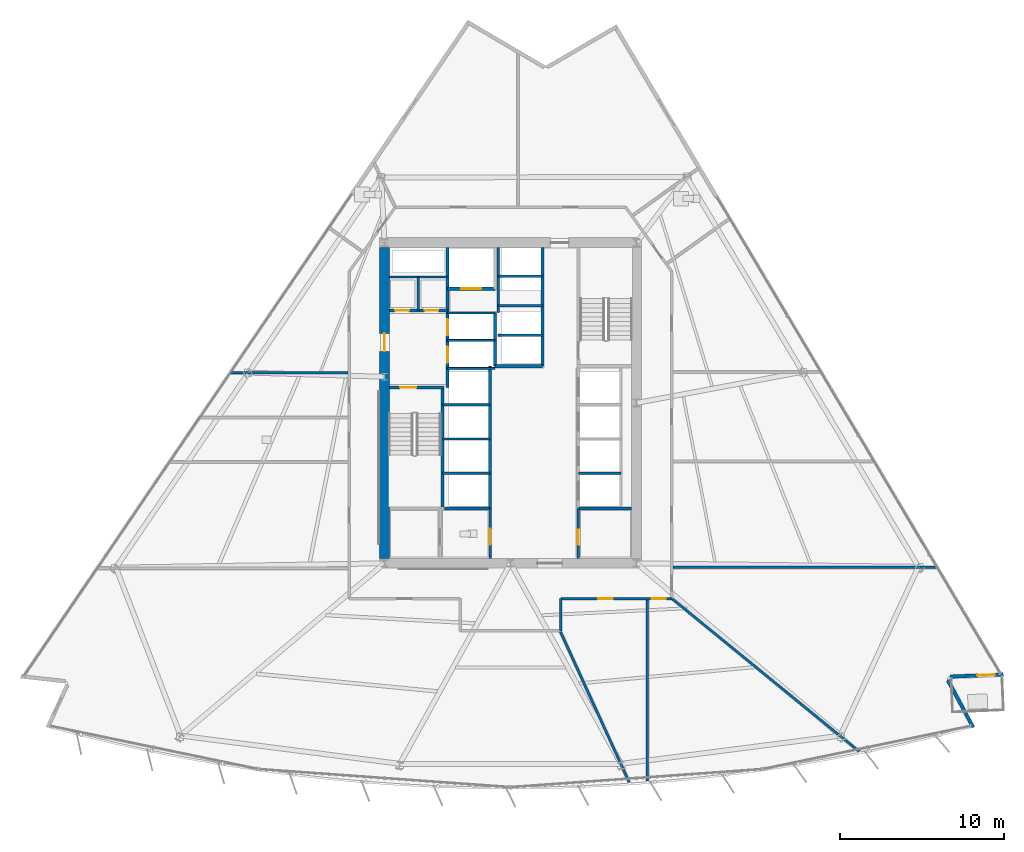
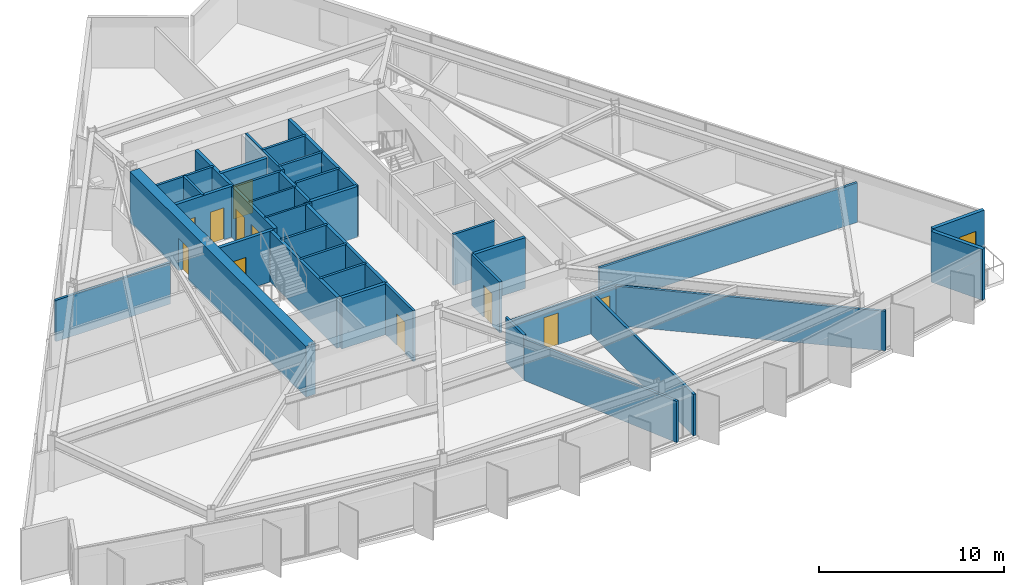
# One storey, part 9 of 16: 36 walls, 12 doors, 12 openings.
"""IFC4 building model written with IfcOpenShell, lengths in metres."""

from ifc_helpers import new_model, si_unit, direction, frame, frame_2d, origin, place, context, subcontext, project, spatial, rectangle, extrude, material, layer, layer_set, type_object, element, fill, save


model = new_model("IFC4")

# Units and contexts
model_context = context("Model", 3, precision=1e-05, world=origin(), true_north=direction((0.0, 1.0)))
body_context = subcontext(model_context, "Body", "Model", "MODEL_VIEW")
ifc_project = project(units=[si_unit("LENGTHUNIT", "METRE"), si_unit("AREAUNIT", "SQUARE_METRE"), si_unit("VOLUMEUNIT", "CUBIC_METRE"), si_unit("PLANEANGLEUNIT", "RADIAN"), si_unit("MASSUNIT", "GRAM", prefix="KILO")], contexts=[model_context])

# Site, building, storey
site_placement = place(None, origin())
site = spatial("IfcSite", under=ifc_project, at=site_placement, CompositionType="ELEMENT")
building_placement = place(site_placement, origin())
building = spatial("IfcBuilding", under=site, at=building_placement, Name="Savorim Split Tower", CompositionType="ELEMENT")
storey_placement = place(building_placement, frame((0.0, 0.0, 33.60009765625)))
storey = spatial("IfcBuildingStorey", under=building, at=storey_placement, Name="L08", CompositionType="ELEMENT", Elevation=33.60009765625)

# Wall, opening, door
ifc_material_1 = material(Name="Concrete C60/75", Category="concrete")
ifc_layer_1 = layer(ifc_material_1, 0.60009765625)
ifc_layer_set_1 = layer_set([ifc_layer_1], Name="WAL-COR-SH600")
wall_type_1 = type_object("IfcWallType", Name="WAL-COR-SH600", PredefinedType="SHEAR", material=ifc_layer_set_1)
wall_1_placement = place(storey_placement, frame((-7.699951171875, -9.10009765625, 0.0), z_axis=(0.0, 0.0, 1.0), x_axis=(0.0, 1.0, 0.0)))
wall_1 = element("IfcWall", 1, at=wall_1_placement, inside=storey, type_object=wall_type_1, Name="L08 Offset Core West Shear Wall", PredefinedType="SHEAR", context=body_context, shape_type="SweptSolid", body=[
    extrude(rectangle(XDim=19.0, YDim=0.60009765625, at=frame_2d((9.5, 0.0))), origin(), (0.0, 0.0, 1.0), 3.349853515625),
])
opening_1_placement = place(wall_1_placement, frame((12.64990234375, 0.0, 0.0)))
opening_1 = element("IfcOpeningElement", 2, at=opening_1_placement, cuts=wall_1, Name="Opening DI-03", PredefinedType="OPENING", context=body_context, shape_type="SweptSolid", body=[
    extrude(rectangle(XDim=1.10009765625, YDim=2.14990234375, at=frame_2d((0.550048828125, 1.074951171875))), frame((0.0, 0.31005859375, 0.0), z_axis=(0.0, -1.0, 0.0), x_axis=(1.0, 0.0, 0.0)), (0.0, 0.0, 1.0), 0.6201171875),
])
ifc_material_2 = material(Name="Timber Fire Door Leaf", Category="wood")
door_type_1 = type_object("IfcDoorType", Name="DOR-FIR-1100", OperationType="NOTDEFINED", PredefinedType="DOOR", material=ifc_material_2)
door_1_placement = place(opening_1_placement, origin())
door_1 = element("IfcDoor", 3, at=door_1_placement, inside=storey, type_object=door_type_1, Name="DOR-L08-COR-FFLOB - L08 Firefighting Lobby Corridor Door", OperationType="SINGLE_SWING_RIGHT", OverallHeight=2.14990234375, OverallWidth=1.10009765625, PredefinedType="DOOR", context=body_context, shape_type="SweptSolid", body=[
    extrude(rectangle(XDim=1.10009765625, YDim=2.14990234375, at=frame_2d((0.550048828125, 1.074951171875))), frame((0.0, 0.02490234375, 0.0), z_axis=(0.0, -1.0, 0.0), x_axis=(1.0, 0.0, 0.0)), (0.0, 0.0, 1.0), 0.050048828125),
])
fill(opening_1, door_1)

# Wall
ifc_material_3 = material(Name="Precast concrete C40/50", Category="concrete")
ifc_layer_2 = layer(ifc_material_3, 0.219970703125)
ifc_layer_set_2 = layer_set([ifc_layer_2], Name="WAL-EXT-CRN220")
wall_type_2 = type_object("IfcWallType", Name="WAL-EXT-CRN220", PredefinedType="SOLIDWALL", material=ifc_layer_set_2)
wall_2_placement = place(storey_placement, frame((26.729248046875, -16.5400390625, 0.0), z_axis=(0.0, 0.0, 1.0), x_axis=(0.472830429959, -0.881153439819, 0.0)))
element("IfcWall", 4, at=wall_2_placement, inside=storey, type_object=wall_type_2, Name="L08 Notched Corner Facade Wall SE1", PredefinedType="SOLIDWALL", context=body_context, shape_type="SweptSolid", body=[
    extrude(rectangle(XDim=3.27001953125, YDim=0.219970703125, at=frame_2d((1.635009765625, 0.0))), origin(), (0.0, 0.0, 1.0), 3.349853515625),
])

# Wall, opening, door
wall_3_placement = place(storey_placement, frame((30.114990234375, -16.1875, 0.0), z_axis=(0.0, 0.0, 1.0), x_axis=(-0.999095638069, -0.042519477791, 0.0)))
wall_3 = element("IfcWall", 5, at=wall_3_placement, inside=storey, type_object=wall_type_2, Name="L08 Notched Corner Facade Wall SE", PredefinedType="SOLIDWALL", context=body_context, shape_type="SweptSolid", body=[
    extrude(rectangle(XDim=3.26708984375, YDim=0.219970703125, at=frame_2d((1.633544921875, 0.0))), origin(), (0.0, 0.0, 1.0), 3.349853515625),
])
opening_2_placement = place(wall_3_placement, frame((0.528564453125, 0.0, 0.0)))
opening_2 = element("IfcOpeningElement", 6, at=opening_2_placement, cuts=wall_3, Name="Opening DB-01", PredefinedType="OPENING", context=body_context, shape_type="SweptSolid", body=[
    extrude(rectangle(XDim=1.050048828125, YDim=2.14990234375, at=frame_2d((0.52490234375, 1.074951171875))), frame((0.0, 0.119873046875, 0.0), z_axis=(0.0, -1.0, 0.0), x_axis=(1.0, 0.0, 0.0)), (0.0, 0.0, 1.0), 0.239990234375),
])
ifc_material_4 = material(Name="Charcoal Anodised Aluminium", Category="aluminium")
door_type_2 = type_object("IfcDoorType", Name="DOR-BAL-1050", OperationType="NOTDEFINED", PredefinedType="DOOR", material=ifc_material_4)
door_2_placement = place(opening_2_placement, origin())
door_2 = element("IfcDoor", 7, at=door_2_placement, inside=storey, type_object=door_type_2, Name="DOR-L08-TBAL-SE - L08 Planted Tree Balcony Door SE", OperationType="SINGLE_SWING_LEFT", OverallHeight=2.14990234375, OverallWidth=1.050048828125, PredefinedType="DOOR", context=body_context, shape_type="SweptSolid", body=[
    extrude(rectangle(XDim=1.050048828125, YDim=2.14990234375, at=frame_2d((0.52490234375, 1.074951171875))), frame((0.0, 0.02490234375, 0.0), z_axis=(0.0, -1.0, 0.0), x_axis=(1.0, 0.0, 0.0)), (0.0, 0.0, 1.0), 0.050048828125),
])
fill(opening_2, door_2)

ifc_material_5 = material(Name="Concrete C50/60", Category="concrete")
ifc_layer_3 = layer(ifc_material_5, 0.199951171875)
ifc_layer_set_3 = layer_set([ifc_layer_3], Name="WAL-INT-RC200")
wall_type_3 = type_object("IfcWallType", Name="WAL-INT-RC200", PredefinedType="SOLIDWALL", material=ifc_layer_set_3)
wall_4_placement = place(storey_placement, frame((-7.39990234375, 1.35009765625, 0.0), z_axis=(0.0, 0.0, 1.0), x_axis=(1.0, 0.0, 0.0)))
wall_4 = element("IfcWall", 8, at=wall_4_placement, inside=storey, type_object=wall_type_3, Name="L08 Structural Shaft Wall W-L08-CR01", PredefinedType="SOLIDWALL", context=body_context, shape_type="SweptSolid", body=[
    extrude(rectangle(XDim=3.349853515625, YDim=0.199951171875, at=frame_2d((1.6748046875, 0.0))), origin(), (0.0, 0.0, 1.0), 3.349853515625),
])
opening_3_placement = place(wall_4_placement, frame((0.64990234375, 0.0, 0.0)))
opening_3 = element("IfcOpeningElement", 9, at=opening_3_placement, cuts=wall_4, Name="Opening DI-04", PredefinedType="OPENING", context=body_context, shape_type="SweptSolid", body=[
    extrude(rectangle(XDim=1.0, YDim=2.14990234375, at=frame_2d((0.5, 1.074951171875))), frame((0.0, 0.10986328125, 0.0), z_axis=(0.0, -1.0, 0.0), x_axis=(1.0, 0.0, 0.0)), (0.0, 0.0, 1.0), 0.219970703125),
])
door_type_3 = type_object("IfcDoorType", Name="DOR-FIR-1000", OperationType="NOTDEFINED", PredefinedType="DOOR", material=ifc_material_2)
door_3_placement = place(opening_3_placement, origin())
door_3 = element("IfcDoor", 10, at=door_3_placement, inside=storey, type_object=door_type_3, Name="DR-L08-ST1 - L08 Stair ST-1 Enclosure Door", OperationType="SINGLE_SWING_LEFT", OverallHeight=2.14990234375, OverallWidth=1.0, PredefinedType="DOOR", context=body_context, shape_type="SweptSolid", body=[
    extrude(rectangle(XDim=1.0, YDim=2.14990234375, at=frame_2d((0.5, 1.074951171875))), frame((0.0, 0.02490234375, 0.0), z_axis=(0.0, -1.0, 0.0), x_axis=(1.0, 0.0, 0.0)), (0.0, 0.0, 1.0), 0.050048828125),
])
fill(opening_3, door_3)

# Wall
wall_5_placement = place(storey_placement, frame((-4.14990234375, -5.949951171875, 0.0), z_axis=(0.0, 0.0, 1.0), x_axis=(0.0, 1.0, 0.0)))
element("IfcWall", 11, at=wall_5_placement, inside=storey, type_object=wall_type_3, Name="L08 Structural Shaft Wall W-L08-CR02", PredefinedType="SOLIDWALL", context=body_context, shape_type="SweptSolid", body=[
    extrude(rectangle(XDim=7.199951171875, YDim=0.199951171875, at=frame_2d((3.60009765625, 0.0))), origin(), (0.0, 0.0, 1.0), 3.349853515625),
])

# Wall, openings, doors
wall_6_placement = place(storey_placement, frame((-3.85009765625, 1.35009765625, 0.0), z_axis=(0.0, 0.0, 1.0), x_axis=(0.0, 1.0, 0.0)))
wall_6 = element("IfcWall", 12, at=wall_6_placement, inside=storey, type_object=wall_type_3, Name="L08 Partition W-L08-CR03", PredefinedType="SOLIDWALL", context=body_context, shape_type="SweptSolid", body=[
    extrude(rectangle(XDim=8.544921875, YDim=0.199951171875, at=frame_2d((4.2724609375, 0.0))), origin(), (0.0, 0.0, 1.0), 3.349853515625),
])
opening_4_placement = place(wall_6_placement, frame((1.5, 0.0, 0.0)))
opening_4 = element("IfcOpeningElement", 13, at=opening_4_placement, cuts=wall_6, Name="Opening LD-FFL", PredefinedType="OPENING", context=body_context, shape_type="SweptSolid", body=[
    extrude(rectangle(XDim=1.0, YDim=2.14990234375, at=frame_2d((0.5, 1.074951171875))), frame((0.0, 0.10986328125, 0.0), z_axis=(0.0, -1.0, 0.0), x_axis=(1.0, 0.0, 0.0)), (0.0, 0.0, 1.0), 0.219970703125),
])
opening_5_placement = place(wall_6_placement, frame((3.179931640625, 0.0, 0.0)))
opening_5 = element("IfcOpeningElement", 14, at=opening_5_placement, cuts=wall_6, Name="Opening LD-FFL", PredefinedType="OPENING", context=body_context, shape_type="SweptSolid", body=[
    extrude(rectangle(XDim=1.0, YDim=2.14990234375, at=frame_2d((0.5, 1.074951171875))), frame((0.0, 0.10986328125, 0.0), z_axis=(0.0, -1.0, 0.0), x_axis=(1.0, 0.0, 0.0)), (0.0, 0.0, 1.0), 0.219970703125),
])
door_type_4 = type_object("IfcDoorType", Name="DOR-SLD-LD1000", OperationType="NOTDEFINED", PredefinedType="DOOR", material=ifc_material_4)
door_4_placement = place(opening_4_placement, origin())
door_4 = element("IfcDoor", 15, at=door_4_placement, inside=storey, type_object=door_type_4, Name="DR-L08-LD-FFL1 - L08 Firefighting Lift FFL-1 Sliding Landing Door", OperationType="DOUBLE_DOOR_SLIDING", OverallHeight=2.14990234375, OverallWidth=1.0, PredefinedType="DOOR", context=body_context, shape_type="SweptSolid", body=[
    extrude(rectangle(XDim=1.0, YDim=2.14990234375, at=frame_2d((0.5, 1.074951171875))), frame((0.0, 0.02490234375, 0.0), z_axis=(0.0, -1.0, 0.0), x_axis=(1.0, 0.0, 0.0)), (0.0, 0.0, 1.0), 0.050048828125),
])
fill(opening_4, door_4)
door_5_placement = place(opening_5_placement, origin())
door_5 = element("IfcDoor", 16, at=door_5_placement, inside=storey, type_object=door_type_4, Name="DR-L08-LD-FFL2 - L08 Firefighting Lift FFL-2 Sliding Landing Door", OperationType="DOUBLE_DOOR_SLIDING", OverallHeight=2.14990234375, OverallWidth=1.0, PredefinedType="DOOR", context=body_context, shape_type="SweptSolid", body=[
    extrude(rectangle(XDim=1.0, YDim=2.14990234375, at=frame_2d((0.5, 1.074951171875))), frame((0.0, 0.02490234375, 0.0), z_axis=(0.0, -1.0, 0.0), x_axis=(1.0, 0.0, 0.0)), (0.0, 0.0, 1.0), 0.050048828125),
])
fill(opening_5, door_5)

wall_7_placement = place(storey_placement, frame((-7.39501953125, 6.050048828125, 0.0), z_axis=(0.0, 0.0, 1.0), x_axis=(1.0, 0.0, 0.0)))
wall_7 = element("IfcWall", 17, at=wall_7_placement, inside=storey, type_object=wall_type_3, Name="L08 Partition W-L08-CR04", PredefinedType="SOLIDWALL", context=body_context, shape_type="SweptSolid", body=[
    extrude(rectangle(XDim=3.544921875, YDim=0.199951171875, at=frame_2d((1.7724609375, 0.0))), origin(), (0.0, 0.0, 1.0), 3.349853515625),
])
opening_6_placement = place(wall_7_placement, frame((0.344970703125, 0.0, 0.0)))
opening_6 = element("IfcOpeningElement", 18, at=opening_6_placement, cuts=wall_7, Name="Opening DI-12", PredefinedType="OPENING", context=body_context, shape_type="SweptSolid", body=[
    extrude(rectangle(XDim=0.85009765625, YDim=2.10009765625, at=frame_2d((0.425048828125, 1.050048828125))), frame((0.0, 0.10986328125, 0.0), z_axis=(0.0, -1.0, 0.0), x_axis=(1.0, 0.0, 0.0)), (0.0, 0.0, 1.0), 0.219970703125),
])
opening_7_placement = place(wall_7_placement, frame((2.14501953125, 0.0, 0.0)))
opening_7 = element("IfcOpeningElement", 19, at=opening_7_placement, cuts=wall_7, Name="Opening DI-12", PredefinedType="OPENING", context=body_context, shape_type="SweptSolid", body=[
    extrude(rectangle(XDim=0.85009765625, YDim=2.10009765625, at=frame_2d((0.425048828125, 1.050048828125))), frame((0.0, 0.10986328125, 0.0), z_axis=(0.0, -1.0, 0.0), x_axis=(1.0, 0.0, 0.0)), (0.0, 0.0, 1.0), 0.219970703125),
])
ifc_material_6 = material(Name="Galvanised Painted Steel Balustrade", Category="steel")
door_type_5 = type_object("IfcDoorType", Name="DOR-RIS-850", OperationType="NOTDEFINED", PredefinedType="DOOR", material=ifc_material_6)
door_6_placement = place(opening_6_placement, origin())
door_6 = element("IfcDoor", 20, at=door_6_placement, inside=storey, type_object=door_type_5, Name="DR-L08-ELR - L08 Electrical Riser Access Door", OperationType="SINGLE_SWING_RIGHT", OverallHeight=2.10009765625, OverallWidth=0.85009765625, PredefinedType="DOOR", context=body_context, shape_type="SweptSolid", body=[
    extrude(rectangle(XDim=0.85009765625, YDim=2.10009765625, at=frame_2d((0.425048828125, 1.050048828125))), frame((0.0, 0.02490234375, 0.0), z_axis=(0.0, -1.0, 0.0), x_axis=(1.0, 0.0, 0.0)), (0.0, 0.0, 1.0), 0.050048828125),
])
fill(opening_6, door_6)
door_7_placement = place(opening_7_placement, origin())
door_7 = element("IfcDoor", 21, at=door_7_placement, inside=storey, type_object=door_type_5, Name="DR-L08-TLR - L08 Telecom Riser Access Door", OperationType="SINGLE_SWING_LEFT", OverallHeight=2.10009765625, OverallWidth=0.85009765625, PredefinedType="DOOR", context=body_context, shape_type="SweptSolid", body=[
    extrude(rectangle(XDim=0.85009765625, YDim=2.10009765625, at=frame_2d((0.425048828125, 1.050048828125))), frame((0.0, 0.02490234375, 0.0), z_axis=(0.0, -1.0, 0.0), x_axis=(1.0, 0.0, 0.0)), (0.0, 0.0, 1.0), 0.050048828125),
])
fill(opening_7, door_7)

# Wall
wall_8_placement = place(storey_placement, frame((-0.949951171875, 2.64990234375, 0.0), z_axis=(0.0, 0.0, 1.0), x_axis=(0.0, 1.0, 0.0)))
element("IfcWall", 22, at=wall_8_placement, inside=storey, type_object=wall_type_3, Name="L08 Partition W-L08-FFLW", PredefinedType="SOLIDWALL", context=body_context, shape_type="SweptSolid", body=[
    extrude(rectangle(XDim=3.27001953125, YDim=0.199951171875, at=frame_2d((1.635009765625, 0.0))), origin(), (0.0, 0.0, 1.0), 3.349853515625),
])

# Wall, opening, door
wall_9_placement = place(storey_placement, frame((-3.85009765625, 7.3798828125, 0.0), z_axis=(0.0, 0.0, 1.0), x_axis=(1.0, 0.0, 0.0)))
wall_9 = element("IfcWall", 23, at=wall_9_placement, inside=storey, type_object=wall_type_3, Name="L08 Partition W-L08-SVLS", PredefinedType="SOLIDWALL", context=body_context, shape_type="SweptSolid", body=[
    extrude(rectangle(XDim=2.900146484375, YDim=0.199951171875, at=frame_2d((1.4501953125, 0.0))), origin(), (0.0, 0.0, 1.0), 3.349853515625),
])
opening_8_placement = place(wall_9_placement, frame((0.85009765625, 0.0, 0.0)))
opening_8 = element("IfcOpeningElement", 24, at=opening_8_placement, cuts=wall_9, Name="Opening LD-SV", PredefinedType="OPENING", context=body_context, shape_type="SweptSolid", body=[
    extrude(rectangle(XDim=1.199951171875, YDim=2.199951171875, at=frame_2d((0.60009765625, 1.10009765625))), frame((0.0, 0.10986328125, 0.0), z_axis=(0.0, -1.0, 0.0), x_axis=(1.0, 0.0, 0.0)), (0.0, 0.0, 1.0), 0.219970703125),
])
door_type_6 = type_object("IfcDoorType", Name="DOR-SLD-SV1200", OperationType="NOTDEFINED", PredefinedType="DOOR", material=ifc_material_4)
door_8_placement = place(opening_8_placement, origin())
door_8 = element("IfcDoor", 25, at=door_8_placement, inside=storey, type_object=door_type_6, Name="DR-L08-LD-SVL1 - L08 Service Lift SVL-1 Sliding Landing Door", OperationType="DOUBLE_DOOR_SLIDING", OverallHeight=2.199951171875, OverallWidth=1.199951171875, PredefinedType="DOOR", context=body_context, shape_type="SweptSolid", body=[
    extrude(rectangle(XDim=1.199951171875, YDim=2.199951171875, at=frame_2d((0.60009765625, 1.10009765625))), frame((0.0, 0.02490234375, 0.0), z_axis=(0.0, -1.0, 0.0), x_axis=(1.0, 0.0, 0.0)), (0.0, 0.0, 1.0), 0.050048828125),
])
fill(opening_8, door_8)

# Walls
wall_10_placement = place(storey_placement, frame((-1.25, -6.050048828125, 0.0), z_axis=(0.0, 0.0, 1.0), x_axis=(0.0, 1.0, 0.0)))
element("IfcWall", 26, at=wall_10_placement, inside=storey, type_object=wall_type_3, Name="L08 Partition W-L08-B2FRONT", PredefinedType="SOLIDWALL", context=body_context, shape_type="SweptSolid", body=[
    extrude(rectangle(XDim=8.699951171875, YDim=0.199951171875, at=frame_2d((4.35009765625, 0.0))), origin(), (0.0, 0.0, 1.0), 3.349853515625),
])
wall_11_placement = place(storey_placement, frame((1.949951171875, 2.64990234375, 0.0), z_axis=(0.0, 0.0, 1.0), x_axis=(0.0, 1.0, 0.0)))
element("IfcWall", 27, at=wall_11_placement, inside=storey, type_object=wall_type_3, Name="L08 Partition W-L08-B3FRONT", PredefinedType="SOLIDWALL", context=body_context, shape_type="SweptSolid", body=[
    extrude(rectangle(XDim=7.2451171875, YDim=0.199951171875, at=frame_2d((3.62255859375, 0.0))), origin(), (0.0, 0.0, 1.0), 3.349853515625),
])
wall_12_placement = place(storey_placement, frame((-0.949951171875, 2.64990234375, 0.0), z_axis=(0.0, 0.0, 1.0), x_axis=(1.0, 0.0, 0.0)))
element("IfcWall", 28, at=wall_12_placement, inside=storey, type_object=wall_type_3, Name="L08 Partition W-L08-B3SOUTH", PredefinedType="SOLIDWALL", context=body_context, shape_type="SweptSolid", body=[
    extrude(rectangle(XDim=2.89990234375, YDim=0.199951171875, at=frame_2d((1.449951171875, 0.0))), origin(), (0.0, 0.0, 1.0), 3.349853515625),
])
wall_13_placement = place(storey_placement, frame((-4.0400390625, -6.050048828125, 0.0), z_axis=(0.0, 0.0, 1.0), x_axis=(1.0, 0.0, 0.0)))
element("IfcWall", 29, at=wall_13_placement, inside=storey, type_object=wall_type_3, Name="L08 Partition W-L08-KSEP-W2", PredefinedType="SOLIDWALL", context=body_context, shape_type="SweptSolid", body=[
    extrude(rectangle(XDim=2.7900390625, YDim=0.199951171875, at=frame_2d((1.39501953125, 0.0))), origin(), (0.0, 0.0, 1.0), 3.349853515625),
])
wall_14_placement = place(storey_placement, frame((4.14990234375, -6.050048828125, 0.0), z_axis=(0.0, 0.0, 1.0), x_axis=(1.0, 0.0, 0.0)))
element("IfcWall", 30, at=wall_14_placement, inside=storey, type_object=wall_type_3, Name="L08 Partition W-L08-KSEP-E", PredefinedType="SOLIDWALL", context=body_context, shape_type="SweptSolid", body=[
    extrude(rectangle(XDim=3.2451171875, YDim=0.199951171875, at=frame_2d((1.62255859375, 0.0))), origin(), (0.0, 0.0, 1.0), 3.349853515625),
])
ifc_material_7 = material(Name="Acoustic Gypsum Partition Board")
ifc_layer_4 = layer(ifc_material_7, 0.1201171875)
ifc_layer_set_4 = layer_set([ifc_layer_4], Name="WAL-PAR-120")
wall_type_4 = type_object("IfcWallType", Name="WAL-PAR-120", PredefinedType="PARTITIONING", material=ifc_layer_set_4)
for number, where, z_axis, x_axis, name in (
    (31, (-3.85009765625, 2.52001953125, 0.0), (0.0, 0.0, 1.0), (1.0, 0.0, 0.0), "L08 Partition W-L08-FFLD0"),
    (32, (-3.85009765625, 4.219970703125, 0.0), (0.0, 0.0, 1.0), (1.0, 0.0, 0.0), "L08 Partition W-L08-FFLD1"),
):
    element("IfcWall", number, at=place(storey_placement, frame(where, z_axis=z_axis, x_axis=x_axis)), inside=storey, type_object=wall_type_4, Name=name, PredefinedType="PARTITIONING", context=body_context, shape_type="SweptSolid", body=[
        extrude(rectangle(XDim=2.900146484375, YDim=0.1201171875, at=frame_2d((1.4501953125, 0.0))), origin(), (0.0, 0.0, 1.0), 3.349853515625),
    ])
ifc_layer_5 = layer(ifc_material_7, 0.14990234375)
ifc_layer_set_5 = layer_set([ifc_layer_5], Name="WAL-PAR-150")
wall_type_5 = type_object("IfcWallType", Name="WAL-PAR-150", PredefinedType="PARTITIONING", material=ifc_layer_set_5)
wall_15_placement = place(storey_placement, frame((-7.39501953125, 8.10009765625, 0.0), z_axis=(0.0, 0.0, 1.0), x_axis=(1.0, 0.0, 0.0)))
element("IfcWall", 33, at=wall_15_placement, inside=storey, type_object=wall_type_5, Name="L08 Partition W-L08-CR05", PredefinedType="PARTITIONING", context=body_context, shape_type="SweptSolid", body=[
    extrude(rectangle(XDim=3.544921875, YDim=0.14990234375, at=frame_2d((1.7724609375, 0.0))), origin(), (0.0, 0.0, 1.0), 3.349853515625),
])
wall_16_placement = place(storey_placement, frame((-5.64990234375, 6.050048828125, 0.0), z_axis=(0.0, 0.0, 1.0), x_axis=(0.0, 1.0, 0.0)))
element("IfcWall", 34, at=wall_16_placement, inside=storey, type_object=wall_type_5, Name="L08 Partition W-L08-CR06", PredefinedType="PARTITIONING", context=body_context, shape_type="SweptSolid", body=[
    extrude(rectangle(XDim=2.050048828125, YDim=0.14990234375, at=frame_2d((1.02490234375, 0.0))), origin(), (0.0, 0.0, 1.0), 3.349853515625),
])
wall_17_placement = place(storey_placement, frame((-3.85009765625, 5.89990234375, 0.0), z_axis=(0.0, 0.0, 1.0), x_axis=(1.0, 0.0, 0.0)))
element("IfcWall", 35, at=wall_17_placement, inside=storey, type_object=wall_type_5, Name="L08 Partition W-L08-FFLD2", PredefinedType="PARTITIONING", context=body_context, shape_type="SweptSolid", body=[
    extrude(rectangle(XDim=2.900146484375, YDim=0.14990234375, at=frame_2d((1.4501953125, 0.0))), origin(), (0.0, 0.0, 1.0), 3.349853515625),
])
wall_18_placement = place(storey_placement, frame((4.14990234375, -3.89990234375, 0.0), z_axis=(0.0, 0.0, 1.0), x_axis=(1.0, 0.0, 0.0)))
element("IfcWall", 36, at=wall_18_placement, inside=storey, type_object=wall_type_5, Name="L08 Partition W-L08-B1DIV1", PredefinedType="PARTITIONING", context=body_context, shape_type="SweptSolid", body=[
    extrude(rectangle(XDim=2.60009765625, YDim=0.14990234375, at=frame_2d((1.300048828125, 0.0))), origin(), (0.0, 0.0, 1.0), 3.349853515625),
])
for number, where, z_axis, x_axis, name in (
    (37, (-4.14990234375, -3.89990234375, 0.0), (0.0, 0.0, 1.0), (1.0, 0.0, 0.0), "L08 Partition W-L08-B2DIV1"),
    (38, (-4.14990234375, -1.800048828125, 0.0), (0.0, 0.0, 1.0), (1.0, 0.0, 0.0), "L08 Partition W-L08-B2DIV2"),
    (39, (-4.14990234375, 0.300048828125, 0.0), (0.0, 0.0, 1.0), (1.0, 0.0, 0.0), "L08 Partition W-L08-B2DIV3"),
):
    element("IfcWall", number, at=place(storey_placement, frame(where, z_axis=z_axis, x_axis=x_axis)), inside=storey, type_object=wall_type_5, Name=name, PredefinedType="PARTITIONING", context=body_context, shape_type="SweptSolid", body=[
        extrude(rectangle(XDim=2.89990234375, YDim=0.14990234375, at=frame_2d((1.449951171875, 0.0))), origin(), (0.0, 0.0, 1.0), 3.349853515625),
    ])
wall_19_placement = place(storey_placement, frame((-0.75, 5.919921875, 0.0), z_axis=(0.0, 0.0, 1.0), x_axis=(0.0, 1.0, 0.0)))
element("IfcWall", 40, at=wall_19_placement, inside=storey, type_object=wall_type_5, Name="L08 Partition W-L08-B3WEST", PredefinedType="PARTITIONING", context=body_context, shape_type="SweptSolid", body=[
    extrude(rectangle(XDim=3.97509765625, YDim=0.14990234375, at=frame_2d((1.987548828125, 0.0))), origin(), (0.0, 0.0, 1.0), 3.349853515625),
])
for number, where, z_axis, x_axis, name in (
    (41, (-0.75, 4.550048828125, 0.0), (0.0, 0.0, 1.0), (1.0, 0.0, 0.0), "L08 Partition W-L08-B3DIV1"),
    (42, (-0.75, 6.35009765625, 0.0), (0.0, 0.0, 1.0), (1.0, 0.0, 0.0), "L08 Partition W-L08-B3DIV2"),
    (43, (-0.75, 8.14990234375, 0.0), (0.0, 0.0, 1.0), (1.0, 0.0, 0.0), "L08 Partition W-L08-B3DIV3"),
):
    element("IfcWall", number, at=place(storey_placement, frame(where, z_axis=z_axis, x_axis=x_axis)), inside=storey, type_object=wall_type_5, Name=name, PredefinedType="PARTITIONING", context=body_context, shape_type="SweptSolid", body=[
        extrude(rectangle(XDim=2.699951171875, YDim=0.14990234375, at=frame_2d((1.35009765625, 0.0))), origin(), (0.0, 0.0, 1.0), 3.349853515625),
    ])

# Wall, opening, door
wall_20_placement = place(storey_placement, frame((-1.25, -9.094970703125, 0.0), z_axis=(0.0, 0.0, 1.0), x_axis=(0.0, 1.0, 0.0)))
wall_20 = element("IfcWall", 44, at=wall_20_placement, inside=storey, type_object=wall_type_5, Name="L08 Partition W-L08-KLOB-W", PredefinedType="PARTITIONING", context=body_context, shape_type="SweptSolid", body=[
    extrude(rectangle(XDim=3.044921875, YDim=0.14990234375, at=frame_2d((1.5224609375, 0.0))), origin(), (0.0, 0.0, 1.0), 3.349853515625),
])
opening_9_placement = place(wall_20_placement, frame((0.844970703125, 0.0, 0.0)))
opening_9 = element("IfcOpeningElement", 45, at=opening_9_placement, cuts=wall_20, Name="Opening DI-10", PredefinedType="OPENING", context=body_context, shape_type="SweptSolid", body=[
    extrude(rectangle(XDim=0.949951171875, YDim=2.10009765625, at=frame_2d((0.47509765625, 1.050048828125))), frame((0.0, 0.0849609375, 0.0), z_axis=(0.0, -1.0, 0.0), x_axis=(1.0, 0.0, 0.0)), (0.0, 0.0, 1.0), 0.169921875),
])
ifc_material_8 = material(Name="Oak Veneer Acoustic Door")
door_type_7 = type_object("IfcDoorType", Name="DOR-WC-950", OperationType="NOTDEFINED", PredefinedType="DOOR", material=ifc_material_8)
door_9_placement = place(opening_9_placement, origin())
door_9 = element("IfcDoor", 46, at=door_9_placement, inside=storey, type_object=door_type_7, Name="DR-L08-K1WC - L08 Core Accessible WC Door", OperationType="SINGLE_SWING_LEFT", OverallHeight=2.10009765625, OverallWidth=0.949951171875, PredefinedType="DOOR", context=body_context, shape_type="SweptSolid", body=[
    extrude(rectangle(XDim=0.949951171875, YDim=2.10009765625, at=frame_2d((0.47509765625, 1.050048828125))), frame((0.0, 0.02490234375, 0.0), z_axis=(0.0, -1.0, 0.0), x_axis=(1.0, 0.0, 0.0)), (0.0, 0.0, 1.0), 0.050048828125),
])
fill(opening_9, door_9)

wall_21_placement = place(storey_placement, frame((4.14990234375, -9.094970703125, 0.0), z_axis=(0.0, 0.0, 1.0), x_axis=(0.0, 1.0, 0.0)))
wall_21 = element("IfcWall", 47, at=wall_21_placement, inside=storey, type_object=wall_type_5, Name="L08 Partition W-L08-KLOB-E", PredefinedType="PARTITIONING", context=body_context, shape_type="SweptSolid", body=[
    extrude(rectangle(XDim=3.044921875, YDim=0.14990234375, at=frame_2d((1.5224609375, 0.0))), origin(), (0.0, 0.0, 1.0), 3.349853515625),
])
opening_10_placement = place(wall_21_placement, frame((0.844970703125, 0.0, 0.0)))
opening_10 = element("IfcOpeningElement", 48, at=opening_10_placement, cuts=wall_21, Name="Opening DI-06", PredefinedType="OPENING", context=body_context, shape_type="SweptSolid", body=[
    extrude(rectangle(XDim=0.89990234375, YDim=2.10009765625, at=frame_2d((0.449951171875, 1.050048828125))), frame((0.0, 0.0849609375, 0.0), z_axis=(0.0, -1.0, 0.0), x_axis=(1.0, 0.0, 0.0)), (0.0, 0.0, 1.0), 0.169921875),
])
door_type_8 = type_object("IfcDoorType", Name="DOR-FIR-900", OperationType="NOTDEFINED", PredefinedType="DOOR", material=ifc_material_2)
door_10_placement = place(opening_10_placement, origin())
door_10 = element("IfcDoor", 49, at=door_10_placement, inside=storey, type_object=door_type_8, Name="DR-L08-K1IT - L08 Core IT Room Door", OperationType="SINGLE_SWING_LEFT", OverallHeight=2.10009765625, OverallWidth=0.89990234375, PredefinedType="DOOR", context=body_context, shape_type="SweptSolid", body=[
    extrude(rectangle(XDim=0.89990234375, YDim=2.10009765625, at=frame_2d((0.449951171875, 1.050048828125))), frame((0.0, 0.02490234375, 0.0), z_axis=(0.0, -1.0, 0.0), x_axis=(1.0, 0.0, 0.0)), (0.0, 0.0, 1.0), 0.050048828125),
])
fill(opening_10, door_10)

# Wall, openings, doors
wall_22_placement = place(storey_placement, frame((9.860107421875, -11.56005859375, 0.0), z_axis=(0.0, 0.0, 1.0), x_axis=(-1.0, 0.0, 0.0)))
wall_22 = element("IfcWall", 50, at=wall_22_placement, inside=storey, type_object=wall_type_5, Name="L08 Partition W-L08-COR-06", PredefinedType="PARTITIONING", context=body_context, shape_type="SweptSolid", body=[
    extrude(rectangle(XDim=6.780029296875, YDim=0.14990234375, at=frame_2d((3.39013671875, 0.0))), origin(), (0.0, 0.0, 1.0), 2.60888671875),
])
opening_11_placement = place(wall_22_placement, frame((3.59814453125, 0.0, 0.0)))
opening_11 = element("IfcOpeningElement", 51, at=opening_11_placement, cuts=wall_22, Name="Opening DI-06", PredefinedType="OPENING", context=body_context, shape_type="SweptSolid", body=[
    extrude(rectangle(XDim=0.89990234375, YDim=2.10009765625, at=frame_2d((0.449951171875, 1.050048828125))), frame((0.0, 0.0849609375, 0.0), z_axis=(0.0, -1.0, 0.0), x_axis=(1.0, 0.0, 0.0)), (0.0, 0.0, 1.0), 0.169921875),
])
opening_12_placement = place(wall_22_placement, frame((0.386474609375, 0.0, 0.0)))
opening_12 = element("IfcOpeningElement", 52, at=opening_12_placement, cuts=wall_22, Name="Opening DI-13", PredefinedType="OPENING", context=body_context, shape_type="SweptSolid", body=[
    extrude(rectangle(XDim=0.85009765625, YDim=2.10009765625, at=frame_2d((0.425048828125, 1.050048828125))), frame((0.0, 0.0849609375, 0.0), z_axis=(0.0, -1.0, 0.0), x_axis=(1.0, 0.0, 0.0)), (0.0, 0.0, 1.0), 0.169921875),
])
door_type_9 = type_object("IfcDoorType", Name="DOR-FIR-850", OperationType="NOTDEFINED", PredefinedType="DOOR", material=ifc_material_2)
door_11_placement = place(opening_12_placement, origin())
door_11 = element("IfcDoor", 53, at=door_11_placement, inside=storey, type_object=door_type_9, Name="DR-L08-RM05 - L08 Co-Working Commons Entry Door", OperationType="SINGLE_SWING_RIGHT", OverallHeight=2.10009765625, OverallWidth=0.85009765625, PredefinedType="DOOR", context=body_context, shape_type="SweptSolid", body=[
    extrude(rectangle(XDim=0.85009765625, YDim=2.10009765625, at=frame_2d((0.425048828125, 1.050048828125))), frame((0.0, 0.02490234375, 0.0), z_axis=(0.0, -1.0, 0.0), x_axis=(1.0, 0.0, 0.0)), (0.0, 0.0, 1.0), 0.050048828125),
])
fill(opening_12, door_11)
door_12_placement = place(opening_11_placement, origin())
door_12 = element("IfcDoor", 54, at=door_12_placement, inside=storey, type_object=door_type_8, Name="DR-L08-RM04 - L08 Quiet Study Room Entry Door", OperationType="SINGLE_SWING_LEFT", OverallHeight=2.10009765625, OverallWidth=0.89990234375, PredefinedType="DOOR", context=body_context, shape_type="SweptSolid", body=[
    extrude(rectangle(XDim=0.89990234375, YDim=2.10009765625, at=frame_2d((0.449951171875, 1.050048828125))), frame((0.0, 0.02490234375, 0.0), z_axis=(0.0, -1.0, 0.0), x_axis=(1.0, 0.0, 0.0)), (0.0, 0.0, 1.0), 0.050048828125),
])
fill(opening_11, door_12)

# Walls
wall_23_placement = place(storey_placement, frame((3.080078125, -11.56005859375, 0.0), z_axis=(0.0, 0.0, 1.0), x_axis=(0.0, -1.0, 0.0)))
element("IfcWall", 55, at=wall_23_placement, inside=storey, type_object=wall_type_5, Name="L08 Partition W-L08-COR-07", PredefinedType="PARTITIONING", context=body_context, shape_type="SweptSolid", body=[
    extrude(rectangle(XDim=1.969970703125, YDim=0.14990234375, at=frame_2d((0.98486328125, 0.0))), origin(), (0.0, 0.0, 1.0), 2.9248046875),
])
wall_24_placement = place(storey_placement, frame((3.053466796875, -13.5791015625, 0.0), z_axis=(0.0, 0.0, 1.0), x_axis=(0.415476855596, -0.909603750247, 0.0)))
element("IfcWall", 56, at=wall_24_placement, inside=storey, type_object=wall_type_5, Name="L08 Partition W-L08-PRAD03", PredefinedType="PARTITIONING", context=body_context, shape_type="SweptSolid", body=[
    extrude(rectangle(XDim=10.116455078125, YDim=0.14990234375, at=frame_2d((5.05810546875, 0.0))), origin(), (0.0, 0.0, 1.0), 2.724853515625),
])
wall_25_placement = place(storey_placement, frame((9.88818359375, -11.568603515625, 0.0), z_axis=(0.0, 0.0, 1.0), x_axis=(0.774455620501, -0.632628241446, 0.0)))
element("IfcWall", 57, at=wall_25_placement, inside=storey, type_object=wall_type_5, Name="L08 Partition W-L08-PRAD04", PredefinedType="PARTITIONING", context=body_context, shape_type="SweptSolid", body=[
    extrude(rectangle(XDim=14.748779296875, YDim=0.14990234375, at=frame_2d((7.37451171875, 0.0))), origin(), (0.0, 0.0, 1.0), 2.60888671875),
])
wall_26_placement = place(storey_placement, frame((9.919921875, -9.651611328125, 0.0), z_axis=(0.0, 0.0, 1.0), x_axis=(1.0, 0.0, 0.0)))
element("IfcWall", 58, at=wall_26_placement, inside=storey, type_object=wall_type_5, Name="L08 Partition W-L08-PRAD05", PredefinedType="PARTITIONING", context=body_context, shape_type="SweptSolid", body=[
    extrude(rectangle(XDim=16.085693359375, YDim=0.14990234375, at=frame_2d((8.04296875, 0.0))), origin(), (0.0, 0.0, 1.0), 2.60888671875),
])
wall_27_placement = place(storey_placement, frame((-9.919921875, 2.2392578125, 0.0), z_axis=(0.0, 0.0, 1.0), x_axis=(-1.0, 0.0, 0.0)))
element("IfcWall", 59, at=wall_27_placement, inside=storey, type_object=wall_type_5, Name="L08 Partition W-L08-PRAD09", PredefinedType="PARTITIONING", context=body_context, shape_type="SweptSolid", body=[
    extrude(rectangle(XDim=7.153564453125, YDim=0.14990234375, at=frame_2d((3.57666015625, 0.0))), origin(), (0.0, 0.0, 1.0), 2.724853515625),
])
wall_28_placement = place(storey_placement, frame((8.365478515625, -11.6201171875, 0.0), z_axis=(0.0, 0.0, 1.0), x_axis=(0.0, -1.0, 0.0)))
element("IfcWall", 60, at=wall_28_placement, inside=storey, type_object=wall_type_5, Name="L08 Partition W-L08-SUB02", PredefinedType="PARTITIONING", context=body_context, shape_type="SweptSolid", body=[
    extrude(rectangle(XDim=11.081298828125, YDim=0.14990234375, at=frame_2d((5.54052734375, 0.0))), origin(), (0.0, 0.0, 1.0), 2.73486328125),
])

save(model, "model.ifc")
